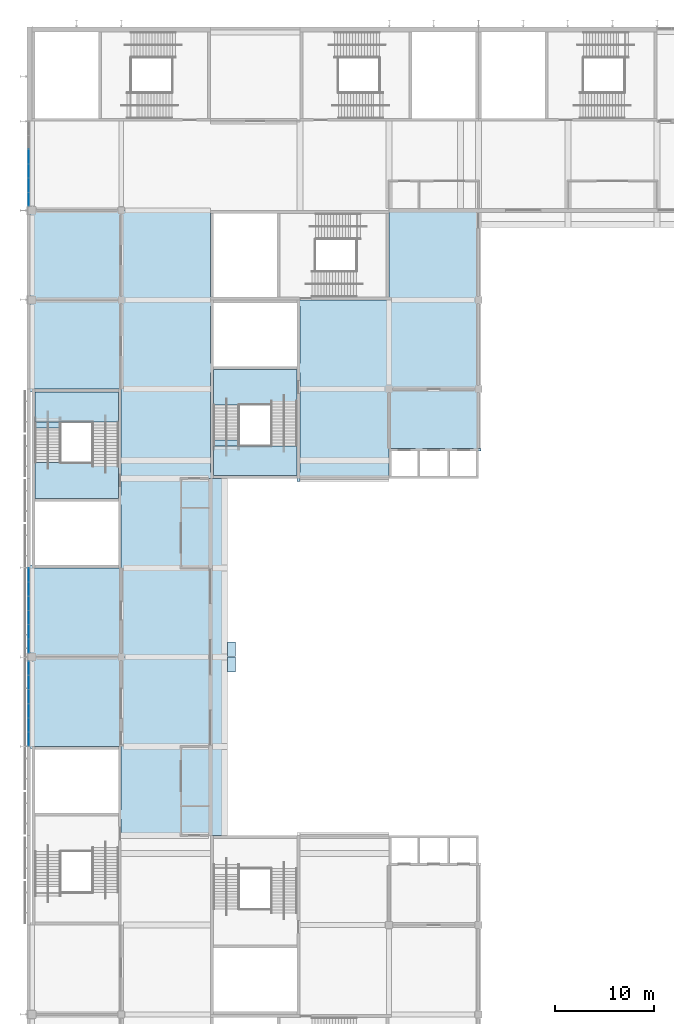
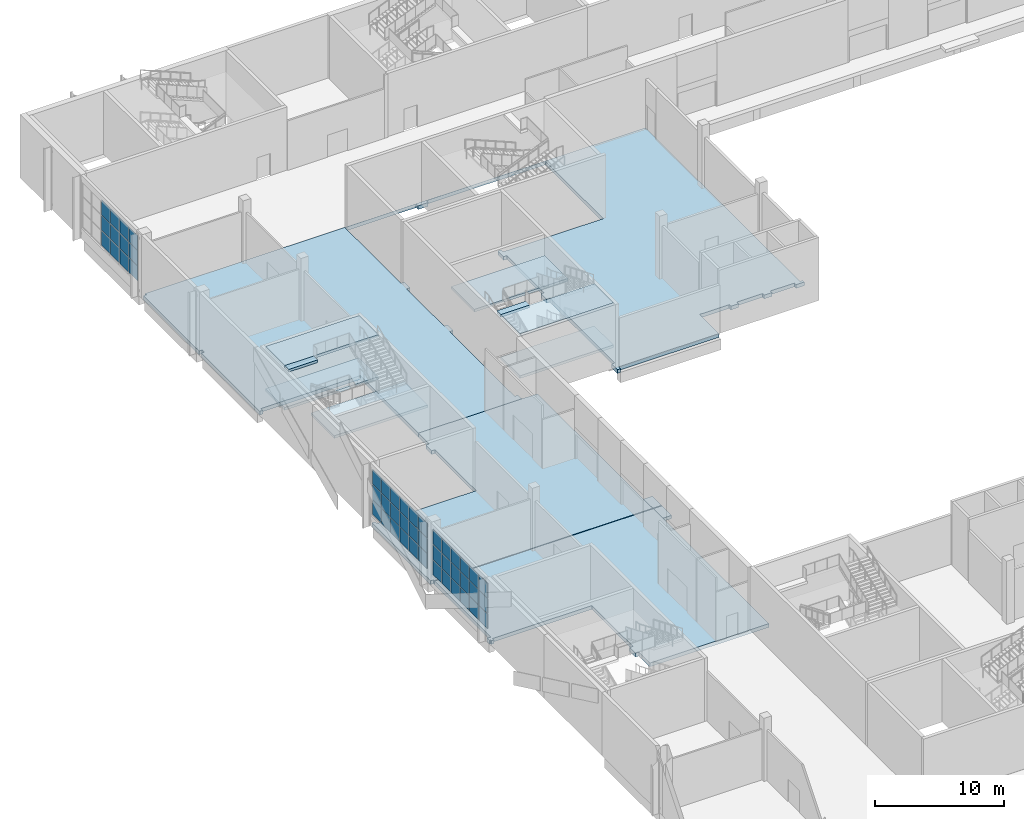
# One storey, part 32 of 89: 48 plates, 13 slabs, 5 elements without a shape of their own.
"""IFC4 building model written with IfcOpenShell, lengths in metres."""

from ifc_helpers import new_model, si_unit, direction, frame, origin, origin_2d, place, context, subcontext, project, spatial, polyline, rectangle, outline, extrude, material, layer, layer_set, type_object, element, aggregate, save


model = new_model("IFC4")

# Units and contexts
model_context = context("Model", 3, precision=1e-05, world=origin(), true_north=direction((0.0, 1.0)))
body_context = subcontext(model_context, "Body", "Model", "MODEL_VIEW")
ifc_project = project(units=[si_unit("LENGTHUNIT", "METRE"), si_unit("AREAUNIT", "SQUARE_METRE"), si_unit("VOLUMEUNIT", "CUBIC_METRE"), si_unit("PLANEANGLEUNIT", "RADIAN"), si_unit("MASSUNIT", "GRAM", prefix="KILO")], contexts=[model_context])

# Site, building, storey
site_placement = place(None, origin())
site = spatial("IfcSite", under=ifc_project, at=site_placement, CompositionType="ELEMENT")
building_placement = place(site_placement, origin())
building = spatial("IfcBuilding", under=site, at=building_placement, Name="Silverbay Arena", CompositionType="ELEMENT")
storey_placement = place(building_placement, frame((0.0, 0.0, 22.0)))
storey = spatial("IfcBuildingStorey", under=building, at=storey_placement, Name="L03", CompositionType="ELEMENT", Elevation=22.0)

# Curtain wall, plates
ifc_material_1 = material(Name="Aluminium framed curtain wall", Category="aluminium")
curtain_wall_type = type_object("IfcCurtainWallType", Name="Curtain wall 8600 x 4400", PredefinedType="NOTDEFINED", material=ifc_material_1)
curtain_wall_1_placement = place(storey_placement, origin())
curtain_wall_1 = element("IfcCurtainWall", 1, at=curtain_wall_1_placement, inside=storey, type_object=curtain_wall_type, Name="West curtain wall L03 bay 7", PredefinedType="NOTDEFINED")
ifc_material_2 = material(Name="Laminated glass", Category="glass")
ifc_layer_1 = layer(ifc_material_2, 0.028076171875)
ifc_layer_set_1 = layer_set([ifc_layer_1], Name="Laminated glass")
plate_type = type_object("IfcPlateType", Name="Glass panel 28", PredefinedType="CURTAIN_PANEL", material=ifc_layer_set_1)
plate_1_placement = place(storey_placement, frame((53.669921875, 79.868408203125, 1.050048828125), z_axis=(0.0, 0.0, 1.0), x_axis=(0.0, -1.0, 0.0)))
plate_1 = element("IfcPlate", 2, at=plate_1_placement, type_object=plate_type, Name="CW12 panel 1.1", PredefinedType="CURTAIN_PANEL", context=body_context, shape_type="SweptSolid", body=[
    extrude(rectangle(XDim=1.34326171875, YDim=0.028076171875, at=origin_2d()), origin(), (0.0, 0.0, 1.0), 1.3916015625),
])
plate_2_placement = place(storey_placement, frame((53.669921875, 79.868408203125, 2.49169921875), z_axis=(0.0, 0.0, 1.0), x_axis=(0.0, -1.0, 0.0)))
plate_2 = element("IfcPlate", 3, at=plate_2_placement, type_object=plate_type, Name="CW12 panel 1.2", PredefinedType="CURTAIN_PANEL", context=body_context, shape_type="SweptSolid", body=[
    extrude(rectangle(XDim=1.34326171875, YDim=0.028076171875, at=origin_2d()), origin(), (0.0, 0.0, 1.0), 1.416748046875),
])
plate_3_placement = place(storey_placement, frame((53.669921875, 79.868408203125, 3.958251953125), z_axis=(0.0, 0.0, 1.0), x_axis=(0.0, -1.0, 0.0)))
plate_3 = element("IfcPlate", 4, at=plate_3_placement, type_object=plate_type, Name="CW12 panel 1.3", PredefinedType="CURTAIN_PANEL", context=body_context, shape_type="SweptSolid", body=[
    extrude(rectangle(XDim=1.34326171875, YDim=0.028076171875, at=origin_2d()), origin(), (0.0, 0.0, 1.0), 1.3916015625),
])
plate_4_placement = place(storey_placement, frame((53.669921875, 78.449951171875, 1.050048828125), z_axis=(0.0, 0.0, 1.0), x_axis=(0.0, -1.0, 0.0)))
plate_4 = element("IfcPlate", 5, at=plate_4_placement, type_object=plate_type, Name="CW12 panel 2.1", PredefinedType="CURTAIN_PANEL", context=body_context, shape_type="SweptSolid", body=[
    extrude(rectangle(XDim=1.373291015625, YDim=0.028076171875, at=origin_2d()), origin(), (0.0, 0.0, 1.0), 1.3916015625),
])
plate_5_placement = place(storey_placement, frame((53.669921875, 78.449951171875, 2.49169921875), z_axis=(0.0, 0.0, 1.0), x_axis=(0.0, -1.0, 0.0)))
plate_5 = element("IfcPlate", 6, at=plate_5_placement, type_object=plate_type, Name="CW12 panel 2.2", PredefinedType="CURTAIN_PANEL", context=body_context, shape_type="SweptSolid", body=[
    extrude(rectangle(XDim=1.373291015625, YDim=0.028076171875, at=origin_2d()), origin(), (0.0, 0.0, 1.0), 1.416748046875),
])
plate_6_placement = place(storey_placement, frame((53.669921875, 78.449951171875, 3.958251953125), z_axis=(0.0, 0.0, 1.0), x_axis=(0.0, -1.0, 0.0)))
plate_6 = element("IfcPlate", 7, at=plate_6_placement, type_object=plate_type, Name="CW12 panel 2.3", PredefinedType="CURTAIN_PANEL", context=body_context, shape_type="SweptSolid", body=[
    extrude(rectangle(XDim=1.373291015625, YDim=0.028076171875, at=origin_2d()), origin(), (0.0, 0.0, 1.0), 1.3916015625),
])
plate_7_placement = place(storey_placement, frame((53.669921875, 77.0166015625, 1.050048828125), z_axis=(0.0, 0.0, 1.0), x_axis=(0.0, -1.0, 0.0)))
plate_7 = element("IfcPlate", 8, at=plate_7_placement, type_object=plate_type, Name="CW12 panel 3.1", PredefinedType="CURTAIN_PANEL", context=body_context, shape_type="SweptSolid", body=[
    extrude(rectangle(XDim=1.373291015625, YDim=0.028076171875, at=origin_2d()), origin(), (0.0, 0.0, 1.0), 1.3916015625),
])
plate_8_placement = place(storey_placement, frame((53.669921875, 77.0166015625, 2.49169921875), z_axis=(0.0, 0.0, 1.0), x_axis=(0.0, -1.0, 0.0)))
plate_8 = element("IfcPlate", 9, at=plate_8_placement, type_object=plate_type, Name="CW12 panel 3.2", PredefinedType="CURTAIN_PANEL", context=body_context, shape_type="SweptSolid", body=[
    extrude(rectangle(XDim=1.373291015625, YDim=0.028076171875, at=origin_2d()), origin(), (0.0, 0.0, 1.0), 1.416748046875),
])
plate_9_placement = place(storey_placement, frame((53.669921875, 77.0166015625, 3.958251953125), z_axis=(0.0, 0.0, 1.0), x_axis=(0.0, -1.0, 0.0)))
plate_9 = element("IfcPlate", 10, at=plate_9_placement, type_object=plate_type, Name="CW12 panel 3.3", PredefinedType="CURTAIN_PANEL", context=body_context, shape_type="SweptSolid", body=[
    extrude(rectangle(XDim=1.373291015625, YDim=0.028076171875, at=origin_2d()), origin(), (0.0, 0.0, 1.0), 1.3916015625),
])
plate_10_placement = place(storey_placement, frame((53.669921875, 75.583251953125, 1.050048828125), z_axis=(0.0, 0.0, 1.0), x_axis=(0.0, -1.0, 0.0)))
plate_10 = element("IfcPlate", 11, at=plate_10_placement, type_object=plate_type, Name="CW12 panel 4.1", PredefinedType="CURTAIN_PANEL", context=body_context, shape_type="SweptSolid", body=[
    extrude(rectangle(XDim=1.373291015625, YDim=0.028076171875, at=origin_2d()), origin(), (0.0, 0.0, 1.0), 1.3916015625),
])
plate_11_placement = place(storey_placement, frame((53.669921875, 75.583251953125, 2.49169921875), z_axis=(0.0, 0.0, 1.0), x_axis=(0.0, -1.0, 0.0)))
plate_11 = element("IfcPlate", 12, at=plate_11_placement, type_object=plate_type, Name="CW12 panel 4.2", PredefinedType="CURTAIN_PANEL", context=body_context, shape_type="SweptSolid", body=[
    extrude(rectangle(XDim=1.373291015625, YDim=0.028076171875, at=origin_2d()), origin(), (0.0, 0.0, 1.0), 1.416748046875),
])
plate_12_placement = place(storey_placement, frame((53.669921875, 75.583251953125, 3.958251953125), z_axis=(0.0, 0.0, 1.0), x_axis=(0.0, -1.0, 0.0)))
plate_12 = element("IfcPlate", 13, at=plate_12_placement, type_object=plate_type, Name="CW12 panel 4.3", PredefinedType="CURTAIN_PANEL", context=body_context, shape_type="SweptSolid", body=[
    extrude(rectangle(XDim=1.373291015625, YDim=0.028076171875, at=origin_2d()), origin(), (0.0, 0.0, 1.0), 1.3916015625),
])
plate_13_placement = place(storey_placement, frame((53.669921875, 74.14990234375, 1.050048828125), z_axis=(0.0, 0.0, 1.0), x_axis=(0.0, -1.0, 0.0)))
plate_13 = element("IfcPlate", 14, at=plate_13_placement, type_object=plate_type, Name="CW12 panel 5.1", PredefinedType="CURTAIN_PANEL", context=body_context, shape_type="SweptSolid", body=[
    extrude(rectangle(XDim=1.373291015625, YDim=0.028076171875, at=origin_2d()), origin(), (0.0, 0.0, 1.0), 1.3916015625),
])
plate_14_placement = place(storey_placement, frame((53.669921875, 74.14990234375, 2.49169921875), z_axis=(0.0, 0.0, 1.0), x_axis=(0.0, -1.0, 0.0)))
plate_14 = element("IfcPlate", 15, at=plate_14_placement, type_object=plate_type, Name="CW12 panel 5.2", PredefinedType="CURTAIN_PANEL", context=body_context, shape_type="SweptSolid", body=[
    extrude(rectangle(XDim=1.373291015625, YDim=0.028076171875, at=origin_2d()), origin(), (0.0, 0.0, 1.0), 1.416748046875),
])
plate_15_placement = place(storey_placement, frame((53.669921875, 74.14990234375, 3.958251953125), z_axis=(0.0, 0.0, 1.0), x_axis=(0.0, -1.0, 0.0)))
plate_15 = element("IfcPlate", 16, at=plate_15_placement, type_object=plate_type, Name="CW12 panel 5.3", PredefinedType="CURTAIN_PANEL", context=body_context, shape_type="SweptSolid", body=[
    extrude(rectangle(XDim=1.373291015625, YDim=0.028076171875, at=origin_2d()), origin(), (0.0, 0.0, 1.0), 1.3916015625),
])
plate_16_placement = place(storey_placement, frame((53.669921875, 72.731689453125, 1.050048828125), z_axis=(0.0, 0.0, 1.0), x_axis=(0.0, -1.0, 0.0)))
plate_16 = element("IfcPlate", 17, at=plate_16_placement, type_object=plate_type, Name="CW12 panel 6.1", PredefinedType="CURTAIN_PANEL", context=body_context, shape_type="SweptSolid", body=[
    extrude(rectangle(XDim=1.34326171875, YDim=0.028076171875, at=origin_2d()), origin(), (0.0, 0.0, 1.0), 1.3916015625),
])
plate_17_placement = place(storey_placement, frame((53.669921875, 72.731689453125, 2.49169921875), z_axis=(0.0, 0.0, 1.0), x_axis=(0.0, -1.0, 0.0)))
plate_17 = element("IfcPlate", 18, at=plate_17_placement, type_object=plate_type, Name="CW12 panel 6.2", PredefinedType="CURTAIN_PANEL", context=body_context, shape_type="SweptSolid", body=[
    extrude(rectangle(XDim=1.34326171875, YDim=0.028076171875, at=origin_2d()), origin(), (0.0, 0.0, 1.0), 1.416748046875),
])
plate_18_placement = place(storey_placement, frame((53.669921875, 72.731689453125, 3.958251953125), z_axis=(0.0, 0.0, 1.0), x_axis=(0.0, -1.0, 0.0)))
plate_18 = element("IfcPlate", 19, at=plate_18_placement, type_object=plate_type, Name="CW12 panel 6.3", PredefinedType="CURTAIN_PANEL", context=body_context, shape_type="SweptSolid", body=[
    extrude(rectangle(XDim=1.34326171875, YDim=0.028076171875, at=origin_2d()), origin(), (0.0, 0.0, 1.0), 1.3916015625),
])
aggregate(curtain_wall_1, [plate_1, plate_2, plate_3, plate_4, plate_5, plate_6, plate_7, plate_8, plate_9, plate_10, plate_11, plate_12, plate_13, plate_14, plate_15, plate_16, plate_17, plate_18])

curtain_wall_2_placement = place(storey_placement, origin())
curtain_wall_2 = element("IfcCurtainWall", 20, at=curtain_wall_2_placement, inside=storey, type_object=curtain_wall_type, Name="West curtain wall L03 bay 8", PredefinedType="NOTDEFINED")
plate_19_placement = place(storey_placement, frame((53.669921875, 89.268310546875, 1.050048828125), z_axis=(0.0, 0.0, 1.0), x_axis=(0.0, -1.0, 0.0)))
plate_19 = element("IfcPlate", 21, at=plate_19_placement, type_object=plate_type, Name="CW12 panel 1.1", PredefinedType="CURTAIN_PANEL", context=body_context, shape_type="SweptSolid", body=[
    extrude(rectangle(XDim=1.34326171875, YDim=0.028076171875, at=origin_2d()), origin(), (0.0, 0.0, 1.0), 1.3916015625),
])
plate_20_placement = place(storey_placement, frame((53.669921875, 89.268310546875, 2.49169921875), z_axis=(0.0, 0.0, 1.0), x_axis=(0.0, -1.0, 0.0)))
plate_20 = element("IfcPlate", 22, at=plate_20_placement, type_object=plate_type, Name="CW12 panel 1.2", PredefinedType="CURTAIN_PANEL", context=body_context, shape_type="SweptSolid", body=[
    extrude(rectangle(XDim=1.34326171875, YDim=0.028076171875, at=origin_2d()), origin(), (0.0, 0.0, 1.0), 1.416748046875),
])
plate_21_placement = place(storey_placement, frame((53.669921875, 89.268310546875, 3.958251953125), z_axis=(0.0, 0.0, 1.0), x_axis=(0.0, -1.0, 0.0)))
plate_21 = element("IfcPlate", 23, at=plate_21_placement, type_object=plate_type, Name="CW12 panel 1.3", PredefinedType="CURTAIN_PANEL", context=body_context, shape_type="SweptSolid", body=[
    extrude(rectangle(XDim=1.34326171875, YDim=0.028076171875, at=origin_2d()), origin(), (0.0, 0.0, 1.0), 1.3916015625),
])
plate_22_placement = place(storey_placement, frame((53.669921875, 87.85009765625, 1.050048828125), z_axis=(0.0, 0.0, 1.0), x_axis=(0.0, -1.0, 0.0)))
plate_22 = element("IfcPlate", 24, at=plate_22_placement, type_object=plate_type, Name="CW12 panel 2.1", PredefinedType="CURTAIN_PANEL", context=body_context, shape_type="SweptSolid", body=[
    extrude(rectangle(XDim=1.373291015625, YDim=0.028076171875, at=origin_2d()), origin(), (0.0, 0.0, 1.0), 1.3916015625),
])
plate_23_placement = place(storey_placement, frame((53.669921875, 87.85009765625, 2.49169921875), z_axis=(0.0, 0.0, 1.0), x_axis=(0.0, -1.0, 0.0)))
plate_23 = element("IfcPlate", 25, at=plate_23_placement, type_object=plate_type, Name="CW12 panel 2.2", PredefinedType="CURTAIN_PANEL", context=body_context, shape_type="SweptSolid", body=[
    extrude(rectangle(XDim=1.373291015625, YDim=0.028076171875, at=origin_2d()), origin(), (0.0, 0.0, 1.0), 1.416748046875),
])
plate_24_placement = place(storey_placement, frame((53.669921875, 87.85009765625, 3.958251953125), z_axis=(0.0, 0.0, 1.0), x_axis=(0.0, -1.0, 0.0)))
plate_24 = element("IfcPlate", 26, at=plate_24_placement, type_object=plate_type, Name="CW12 panel 2.3", PredefinedType="CURTAIN_PANEL", context=body_context, shape_type="SweptSolid", body=[
    extrude(rectangle(XDim=1.373291015625, YDim=0.028076171875, at=origin_2d()), origin(), (0.0, 0.0, 1.0), 1.3916015625),
])
plate_25_placement = place(storey_placement, frame((53.669921875, 86.416748046875, 1.050048828125), z_axis=(0.0, 0.0, 1.0), x_axis=(0.0, -1.0, 0.0)))
plate_25 = element("IfcPlate", 27, at=plate_25_placement, type_object=plate_type, Name="CW12 panel 3.1", PredefinedType="CURTAIN_PANEL", context=body_context, shape_type="SweptSolid", body=[
    extrude(rectangle(XDim=1.373291015625, YDim=0.028076171875, at=origin_2d()), origin(), (0.0, 0.0, 1.0), 1.3916015625),
])
plate_26_placement = place(storey_placement, frame((53.669921875, 86.416748046875, 2.49169921875), z_axis=(0.0, 0.0, 1.0), x_axis=(0.0, -1.0, 0.0)))
plate_26 = element("IfcPlate", 28, at=plate_26_placement, type_object=plate_type, Name="CW12 panel 3.2", PredefinedType="CURTAIN_PANEL", context=body_context, shape_type="SweptSolid", body=[
    extrude(rectangle(XDim=1.373291015625, YDim=0.028076171875, at=origin_2d()), origin(), (0.0, 0.0, 1.0), 1.416748046875),
])
plate_27_placement = place(storey_placement, frame((53.669921875, 86.416748046875, 3.958251953125), z_axis=(0.0, 0.0, 1.0), x_axis=(0.0, -1.0, 0.0)))
plate_27 = element("IfcPlate", 29, at=plate_27_placement, type_object=plate_type, Name="CW12 panel 3.3", PredefinedType="CURTAIN_PANEL", context=body_context, shape_type="SweptSolid", body=[
    extrude(rectangle(XDim=1.373291015625, YDim=0.028076171875, at=origin_2d()), origin(), (0.0, 0.0, 1.0), 1.3916015625),
])
plate_28_placement = place(storey_placement, frame((53.669921875, 84.9833984375, 1.050048828125), z_axis=(0.0, 0.0, 1.0), x_axis=(0.0, -1.0, 0.0)))
plate_28 = element("IfcPlate", 30, at=plate_28_placement, type_object=plate_type, Name="CW12 panel 4.1", PredefinedType="CURTAIN_PANEL", context=body_context, shape_type="SweptSolid", body=[
    extrude(rectangle(XDim=1.373291015625, YDim=0.028076171875, at=origin_2d()), origin(), (0.0, 0.0, 1.0), 1.3916015625),
])
plate_29_placement = place(storey_placement, frame((53.669921875, 84.9833984375, 2.49169921875), z_axis=(0.0, 0.0, 1.0), x_axis=(0.0, -1.0, 0.0)))
plate_29 = element("IfcPlate", 31, at=plate_29_placement, type_object=plate_type, Name="CW12 panel 4.2", PredefinedType="CURTAIN_PANEL", context=body_context, shape_type="SweptSolid", body=[
    extrude(rectangle(XDim=1.373291015625, YDim=0.028076171875, at=origin_2d()), origin(), (0.0, 0.0, 1.0), 1.416748046875),
])
plate_30_placement = place(storey_placement, frame((53.669921875, 84.9833984375, 3.958251953125), z_axis=(0.0, 0.0, 1.0), x_axis=(0.0, -1.0, 0.0)))
plate_30 = element("IfcPlate", 32, at=plate_30_placement, type_object=plate_type, Name="CW12 panel 4.3", PredefinedType="CURTAIN_PANEL", context=body_context, shape_type="SweptSolid", body=[
    extrude(rectangle(XDim=1.373291015625, YDim=0.028076171875, at=origin_2d()), origin(), (0.0, 0.0, 1.0), 1.3916015625),
])
plate_31_placement = place(storey_placement, frame((53.669921875, 83.550048828125, 1.050048828125), z_axis=(0.0, 0.0, 1.0), x_axis=(0.0, -1.0, 0.0)))
plate_31 = element("IfcPlate", 33, at=plate_31_placement, type_object=plate_type, Name="CW12 panel 5.1", PredefinedType="CURTAIN_PANEL", context=body_context, shape_type="SweptSolid", body=[
    extrude(rectangle(XDim=1.373291015625, YDim=0.028076171875, at=origin_2d()), origin(), (0.0, 0.0, 1.0), 1.3916015625),
])
plate_32_placement = place(storey_placement, frame((53.669921875, 83.550048828125, 2.49169921875), z_axis=(0.0, 0.0, 1.0), x_axis=(0.0, -1.0, 0.0)))
plate_32 = element("IfcPlate", 34, at=plate_32_placement, type_object=plate_type, Name="CW12 panel 5.2", PredefinedType="CURTAIN_PANEL", context=body_context, shape_type="SweptSolid", body=[
    extrude(rectangle(XDim=1.373291015625, YDim=0.028076171875, at=origin_2d()), origin(), (0.0, 0.0, 1.0), 1.416748046875),
])
plate_33_placement = place(storey_placement, frame((53.669921875, 83.550048828125, 3.958251953125), z_axis=(0.0, 0.0, 1.0), x_axis=(0.0, -1.0, 0.0)))
plate_33 = element("IfcPlate", 35, at=plate_33_placement, type_object=plate_type, Name="CW12 panel 5.3", PredefinedType="CURTAIN_PANEL", context=body_context, shape_type="SweptSolid", body=[
    extrude(rectangle(XDim=1.373291015625, YDim=0.028076171875, at=origin_2d()), origin(), (0.0, 0.0, 1.0), 1.3916015625),
])
plate_34_placement = place(storey_placement, frame((53.669921875, 82.131591796875, 1.050048828125), z_axis=(0.0, 0.0, 1.0), x_axis=(0.0, -1.0, 0.0)))
plate_34 = element("IfcPlate", 36, at=plate_34_placement, type_object=plate_type, Name="CW12 panel 6.1", PredefinedType="CURTAIN_PANEL", context=body_context, shape_type="SweptSolid", body=[
    extrude(rectangle(XDim=1.34326171875, YDim=0.028076171875, at=origin_2d()), origin(), (0.0, 0.0, 1.0), 1.3916015625),
])
plate_35_placement = place(storey_placement, frame((53.669921875, 82.131591796875, 2.49169921875), z_axis=(0.0, 0.0, 1.0), x_axis=(0.0, -1.0, 0.0)))
plate_35 = element("IfcPlate", 37, at=plate_35_placement, type_object=plate_type, Name="CW12 panel 6.2", PredefinedType="CURTAIN_PANEL", context=body_context, shape_type="SweptSolid", body=[
    extrude(rectangle(XDim=1.34326171875, YDim=0.028076171875, at=origin_2d()), origin(), (0.0, 0.0, 1.0), 1.416748046875),
])
plate_36_placement = place(storey_placement, frame((53.669921875, 82.131591796875, 3.958251953125), z_axis=(0.0, 0.0, 1.0), x_axis=(0.0, -1.0, 0.0)))
plate_36 = element("IfcPlate", 38, at=plate_36_placement, type_object=plate_type, Name="CW12 panel 6.3", PredefinedType="CURTAIN_PANEL", context=body_context, shape_type="SweptSolid", body=[
    extrude(rectangle(XDim=1.34326171875, YDim=0.028076171875, at=origin_2d()), origin(), (0.0, 0.0, 1.0), 1.3916015625),
])
aggregate(curtain_wall_2, [plate_19, plate_20, plate_21, plate_22, plate_23, plate_24, plate_25, plate_26, plate_27, plate_28, plate_29, plate_30, plate_31, plate_32, plate_33, plate_34, plate_35, plate_36])

curtain_wall_3_placement = place(storey_placement, origin())
curtain_wall_3 = element("IfcCurtainWall", 39, at=curtain_wall_3_placement, inside=storey, type_object=curtain_wall_type, Name="West curtain wall L03 bay 13", PredefinedType="NOTDEFINED")
plate_37_placement = place(storey_placement, frame((53.669921875, 131.416748046875, 1.050048828125), z_axis=(0.0, 0.0, 1.0), x_axis=(0.0, -1.0, 0.0)))
plate_37 = element("IfcPlate", 40, at=plate_37_placement, type_object=plate_type, Name="CW12 panel 3.1", PredefinedType="CURTAIN_PANEL", context=body_context, shape_type="SweptSolid", body=[
    extrude(rectangle(XDim=1.373291015625, YDim=0.028076171875, at=origin_2d()), origin(), (0.0, 0.0, 1.0), 1.3916015625),
])
plate_38_placement = place(storey_placement, frame((53.669921875, 131.416748046875, 2.49169921875), z_axis=(0.0, 0.0, 1.0), x_axis=(0.0, -1.0, 0.0)))
plate_38 = element("IfcPlate", 41, at=plate_38_placement, type_object=plate_type, Name="CW12 panel 3.2", PredefinedType="CURTAIN_PANEL", context=body_context, shape_type="SweptSolid", body=[
    extrude(rectangle(XDim=1.373291015625, YDim=0.028076171875, at=origin_2d()), origin(), (0.0, 0.0, 1.0), 1.416748046875),
])
plate_39_placement = place(storey_placement, frame((53.669921875, 131.416748046875, 3.958251953125), z_axis=(0.0, 0.0, 1.0), x_axis=(0.0, -1.0, 0.0)))
plate_39 = element("IfcPlate", 42, at=plate_39_placement, type_object=plate_type, Name="CW12 panel 3.3", PredefinedType="CURTAIN_PANEL", context=body_context, shape_type="SweptSolid", body=[
    extrude(rectangle(XDim=1.373291015625, YDim=0.028076171875, at=origin_2d()), origin(), (0.0, 0.0, 1.0), 1.3916015625),
])
plate_40_placement = place(storey_placement, frame((53.669921875, 129.9833984375, 1.050048828125), z_axis=(0.0, 0.0, 1.0), x_axis=(0.0, -1.0, 0.0)))
plate_40 = element("IfcPlate", 43, at=plate_40_placement, type_object=plate_type, Name="CW12 panel 4.1", PredefinedType="CURTAIN_PANEL", context=body_context, shape_type="SweptSolid", body=[
    extrude(rectangle(XDim=1.373291015625, YDim=0.028076171875, at=origin_2d()), origin(), (0.0, 0.0, 1.0), 1.3916015625),
])
plate_41_placement = place(storey_placement, frame((53.669921875, 129.9833984375, 2.49169921875), z_axis=(0.0, 0.0, 1.0), x_axis=(0.0, -1.0, 0.0)))
plate_41 = element("IfcPlate", 44, at=plate_41_placement, type_object=plate_type, Name="CW12 panel 4.2", PredefinedType="CURTAIN_PANEL", context=body_context, shape_type="SweptSolid", body=[
    extrude(rectangle(XDim=1.373291015625, YDim=0.028076171875, at=origin_2d()), origin(), (0.0, 0.0, 1.0), 1.416748046875),
])
plate_42_placement = place(storey_placement, frame((53.669921875, 129.9833984375, 3.958251953125), z_axis=(0.0, 0.0, 1.0), x_axis=(0.0, -1.0, 0.0)))
plate_42 = element("IfcPlate", 45, at=plate_42_placement, type_object=plate_type, Name="CW12 panel 4.3", PredefinedType="CURTAIN_PANEL", context=body_context, shape_type="SweptSolid", body=[
    extrude(rectangle(XDim=1.373291015625, YDim=0.028076171875, at=origin_2d()), origin(), (0.0, 0.0, 1.0), 1.3916015625),
])
plate_43_placement = place(storey_placement, frame((53.669921875, 128.550048828125, 1.050048828125), z_axis=(0.0, 0.0, 1.0), x_axis=(0.0, -1.0, 0.0)))
plate_43 = element("IfcPlate", 46, at=plate_43_placement, type_object=plate_type, Name="CW12 panel 5.1", PredefinedType="CURTAIN_PANEL", context=body_context, shape_type="SweptSolid", body=[
    extrude(rectangle(XDim=1.373291015625, YDim=0.028076171875, at=origin_2d()), origin(), (0.0, 0.0, 1.0), 1.3916015625),
])
plate_44_placement = place(storey_placement, frame((53.669921875, 128.550048828125, 2.49169921875), z_axis=(0.0, 0.0, 1.0), x_axis=(0.0, -1.0, 0.0)))
plate_44 = element("IfcPlate", 47, at=plate_44_placement, type_object=plate_type, Name="CW12 panel 5.2", PredefinedType="CURTAIN_PANEL", context=body_context, shape_type="SweptSolid", body=[
    extrude(rectangle(XDim=1.373291015625, YDim=0.028076171875, at=origin_2d()), origin(), (0.0, 0.0, 1.0), 1.416748046875),
])
plate_45_placement = place(storey_placement, frame((53.669921875, 128.550048828125, 3.958251953125), z_axis=(0.0, 0.0, 1.0), x_axis=(0.0, -1.0, 0.0)))
plate_45 = element("IfcPlate", 48, at=plate_45_placement, type_object=plate_type, Name="CW12 panel 5.3", PredefinedType="CURTAIN_PANEL", context=body_context, shape_type="SweptSolid", body=[
    extrude(rectangle(XDim=1.373291015625, YDim=0.028076171875, at=origin_2d()), origin(), (0.0, 0.0, 1.0), 1.3916015625),
])
plate_46_placement = place(storey_placement, frame((53.669921875, 127.131591796875, 1.050048828125), z_axis=(0.0, 0.0, 1.0), x_axis=(0.0, -1.0, 0.0)))
plate_46 = element("IfcPlate", 49, at=plate_46_placement, type_object=plate_type, Name="CW12 panel 6.1", PredefinedType="CURTAIN_PANEL", context=body_context, shape_type="SweptSolid", body=[
    extrude(rectangle(XDim=1.34326171875, YDim=0.028076171875, at=origin_2d()), origin(), (0.0, 0.0, 1.0), 1.3916015625),
])
plate_47_placement = place(storey_placement, frame((53.669921875, 127.131591796875, 2.49169921875), z_axis=(0.0, 0.0, 1.0), x_axis=(0.0, -1.0, 0.0)))
plate_47 = element("IfcPlate", 50, at=plate_47_placement, type_object=plate_type, Name="CW12 panel 6.2", PredefinedType="CURTAIN_PANEL", context=body_context, shape_type="SweptSolid", body=[
    extrude(rectangle(XDim=1.34326171875, YDim=0.028076171875, at=origin_2d()), origin(), (0.0, 0.0, 1.0), 1.416748046875),
])
plate_48_placement = place(storey_placement, frame((53.669921875, 127.131591796875, 3.958251953125), z_axis=(0.0, 0.0, 1.0), x_axis=(0.0, -1.0, 0.0)))
plate_48 = element("IfcPlate", 51, at=plate_48_placement, type_object=plate_type, Name="CW12 panel 6.3", PredefinedType="CURTAIN_PANEL", context=body_context, shape_type="SweptSolid", body=[
    extrude(rectangle(XDim=1.34326171875, YDim=0.028076171875, at=origin_2d()), origin(), (0.0, 0.0, 1.0), 1.3916015625),
])
aggregate(curtain_wall_3, [plate_37, plate_38, plate_39, plate_40, plate_41, plate_42, plate_43, plate_44, plate_45, plate_46, plate_47, plate_48])

# Slabs
ifc_material_3 = material(Name="Concrete Grade C45", Category="concrete")
ifc_layer_2 = layer(ifc_material_3, 0.35009765625)
ifc_layer_set_2 = layer_set([ifc_layer_2], Name="Concrete Grade C45")
slab_type_1 = type_object("IfcSlabType", Name="RC floor slab 350", PredefinedType="FLOOR", material=ifc_layer_set_2)
slab_1_placement = place(storey_placement, frame((0.0, 0.0, -0.35009765625)))
element("IfcSlab", 52, at=slab_1_placement, inside=storey, type_object=slab_type_1, Name="Floor slab L03 unit 7", PredefinedType="FLOOR", context=body_context, shape_type="SweptSolid", body=[
    extrude(outline(polyline([(54.074951171875, 81.175048828125), (53.800048828125, 81.175048828125), (53.800048828125, 90.27490234375), (54.074951171875, 90.27490234375), (54.074951171875, 90.0), (63.0, 90.0), (63.0, 96.39990234375), (62.699951171875, 96.39990234375), (62.699951171875, 97.300048828125), (63.0, 97.300048828125), (63.0, 99.0), (73.699951171875, 99.0), (73.699951171875, 81.050048828125), (54.074951171875, 81.050048828125), (54.074951171875, 81.175048828125)])), origin(), (0.0, 0.0, 1.0), 0.35009765625),
])
slab_2_placement = place(storey_placement, frame((0.0, 0.0, -0.35009765625)))
element("IfcSlab", 53, at=slab_2_placement, inside=storey, type_object=slab_type_1, Name="Floor slab L03 unit 7 B", PredefinedType="FLOOR", context=body_context, shape_type="SweptSolid", body=[
    extrude(outline(polyline([(53.75, 72.324951171875), (53.85009765625, 72.324951171875), (53.85009765625, 72.22509765625), (54.074951171875, 72.22509765625), (54.074951171875, 81.0), (73.699951171875, 81.0), (73.699951171875, 63.0), (63.0, 63.0), (63.0, 64.699951171875), (62.699951171875, 64.699951171875), (62.699951171875, 65.60009765625), (63.0, 65.60009765625), (63.0, 72.0), (54.074951171875, 72.0), (54.074951171875, 71.77490234375), (53.85009765625, 71.77490234375), (53.85009765625, 71.89990234375), (53.75, 71.89990234375), (53.75, 72.324951171875)])), origin(), (0.0, 0.0, 1.0), 0.35009765625),
])
slab_3_placement = place(storey_placement, frame((0.0, 0.0, -0.35009765625)))
element("IfcSlab", 54, at=slab_3_placement, inside=storey, type_object=slab_type_1, Name="Floor slab L03 unit 9", PredefinedType="FLOOR", context=body_context, shape_type="SweptSolid", body=[
    extrude(outline(polyline([(72.300048828125, 99.0), (63.0, 99.0), (63.0, 108.0), (54.074951171875, 108.0), (54.074951171875, 107.72509765625), (53.800048828125, 107.72509765625), (53.800048828125, 116.824951171875), (54.074951171875, 116.824951171875), (54.074951171875, 117.175048828125), (53.800048828125, 117.175048828125), (53.800048828125, 125.824951171875), (54.074951171875, 125.824951171875), (54.074951171875, 126.02490234375), (99.0, 126.02490234375), (99.0, 102.0), (99.25, 102.0), (99.25, 101.75), (98.5, 101.75), (98.5, 102.0), (96.35009765625, 102.0), (96.35009765625, 101.75), (95.64990234375, 101.75), (95.64990234375, 102.0), (93.35009765625, 102.0), (93.35009765625, 101.75), (92.64990234375, 101.75), (92.64990234375, 102.0), (90.0, 102.0), (90.0, 99.0), (81.0, 99.0), (81.0, 98.699951171875), (80.699951171875, 98.699951171875), (80.699951171875, 99.60009765625), (81.0, 99.60009765625), (81.0, 109.699951171875), (80.699951171875, 109.699951171875), (80.699951171875, 110.60009765625), (81.0, 110.60009765625), (81.0, 116.39990234375), (80.699951171875, 116.39990234375), (80.699951171875, 117.300048828125), (81.0, 117.300048828125), (81.0, 117.0), (90.0, 117.0), (90.0, 126.0), (79.300048828125, 126.0), (79.300048828125, 125.699951171875), (78.39990234375, 125.699951171875), (78.39990234375, 126.0), (72.0, 126.0), (72.0, 117.300048828125), (72.300048828125, 117.300048828125), (72.300048828125, 116.39990234375), (72.0, 116.39990234375), (72.0, 110.60009765625), (72.300048828125, 110.60009765625), (72.300048828125, 109.699951171875), (72.0, 109.699951171875), (72.0, 99.60009765625), (72.300048828125, 99.60009765625), (72.300048828125, 99.0)])), origin(), (0.0, 0.0, 1.0), 0.35009765625),
])

# Stair, slab
ifc_material_4 = material(Name="Concrete Grade C45", Category="concrete")
stair_type = type_object("IfcStairType", Name="Stair 2600 wide 48 risers 125.0 x 300", PredefinedType="HALF_TURN_STAIR", material=ifc_material_4)
stair_1_placement = place(storey_placement, origin())
stair_1 = element("IfcStair", 55, at=stair_1_placement, inside=storey, type_object=stair_type, Name="Stair ST-W2 L03 to L04", PredefinedType="HALF_TURN_STAIR")
ifc_material_5 = material(Name="Concrete Grade C45", Category="concrete")
ifc_layer_3 = layer(ifc_material_5, 0.25)
ifc_layer_set_3 = layer_set([ifc_layer_3], Name="Concrete Grade C45")
slab_type_2 = type_object("IfcSlabType", Name="Stair arrival platform RC 250", PredefinedType="FLOOR", material=ifc_layer_set_3)
slab_4_placement = place(storey_placement, frame((0.0, 0.0, 5.75)))
slab_4 = element("IfcSlab", 56, at=slab_4_placement, type_object=slab_type_2, Name="Stair ST-W2 L03 to L04 arrival platform 4", PredefinedType="FLOOR", context=body_context, shape_type="SweptSolid", body=[
    extrude(outline(polyline([(56.89990234375, 104.10009765625), (56.89990234375, 104.7099609375), (54.300048828125, 104.7099609375), (54.300048828125, 104.10009765625), (56.89990234375, 104.10009765625)])), origin(), (0.0, 0.0, 1.0), 0.25),
])

stair_2_placement = place(storey_placement, origin())
stair_2 = element("IfcStair", 57, at=stair_2_placement, inside=storey, type_object=stair_type, Name="Stair ST-NW2 L03 to L04", PredefinedType="HALF_TURN_STAIR")
slab_5_placement = place(storey_placement, frame((0.0, 0.0, 5.75)))
slab_5 = element("IfcSlab", 58, at=slab_5_placement, type_object=slab_type_2, Name="Stair ST-NW2 L03 to L04 arrival platform 4", PredefinedType="FLOOR", context=body_context, shape_type="SweptSolid", body=[
    extrude(outline(polyline([(74.89990234375, 102.89990234375), (74.89990234375, 102.2900390625), (72.300048828125, 102.2900390625), (72.300048828125, 102.89990234375), (74.89990234375, 102.89990234375)])), origin(), (0.0, 0.0, 1.0), 0.25),
])

# Slab
ifc_material_6 = material(Name="Concrete Grade C45", Category="concrete")
ifc_layer_4 = layer(ifc_material_6, 0.25)
ifc_layer_set_4 = layer_set([ifc_layer_4], Name="Concrete Grade C45")
slab_type_3 = type_object("IfcSlabType", Name="Stair landing RC 250", PredefinedType="LANDING", material=ifc_layer_set_4)
slab_6_placement = place(storey_placement, frame((0.0, 0.0, 1.75)))
slab_6 = element("IfcSlab", 59, at=slab_6_placement, type_object=slab_type_3, Name="Stair ST-W2 L03 to L04 landing 1", PredefinedType="LANDING", context=body_context, shape_type="SweptSolid", body=[
    extrude(outline(polyline([(62.699951171875, 104.7099609375), (62.699951171875, 107.699951171875), (54.300048828125, 107.699951171875), (54.300048828125, 104.7099609375), (62.699951171875, 104.7099609375)])), origin(), (0.0, 0.0, 1.0), 0.25),
])

slab_7_placement = place(storey_placement, frame((0.0, 0.0, 3.75)))
slab_7 = element("IfcSlab", 60, at=slab_7_placement, type_object=slab_type_3, Name="Stair ST-W2 L03 to L04 landing 2", PredefinedType="LANDING", context=body_context, shape_type="SweptSolid", body=[
    extrude(outline(polyline([(62.699951171875, 97.0), (62.699951171875, 100.60009765625), (54.300048828125, 100.60009765625), (54.300048828125, 97.0), (62.699951171875, 97.0)])), origin(), (0.0, 0.0, 1.0), 0.25),
])

slab_8_placement = place(storey_placement, frame((0.0, 0.0, 5.75)))
slab_8 = element("IfcSlab", 61, at=slab_8_placement, type_object=slab_type_3, Name="Stair ST-W2 L03 to L04 landing 3", PredefinedType="LANDING", context=body_context, shape_type="SweptSolid", body=[
    extrude(outline(polyline([(62.699951171875, 104.7099609375), (62.699951171875, 107.699951171875), (54.300048828125, 107.699951171875), (54.300048828125, 104.7099609375), (62.699951171875, 104.7099609375)])), origin(), (0.0, 0.0, 1.0), 0.25),
])

aggregate(stair_1, [slab_6, slab_7, slab_8, slab_4])

slab_9_placement = place(storey_placement, frame((0.0, 0.0, 1.75)))
slab_9 = element("IfcSlab", 62, at=slab_9_placement, type_object=slab_type_3, Name="Stair ST-NW2 L03 to L04 landing 1", PredefinedType="LANDING", context=body_context, shape_type="SweptSolid", body=[
    extrude(outline(polyline([(80.699951171875, 102.2900390625), (80.699951171875, 99.300048828125), (72.300048828125, 99.300048828125), (72.300048828125, 102.2900390625), (80.699951171875, 102.2900390625)])), origin(), (0.0, 0.0, 1.0), 0.25),
])

slab_10_placement = place(storey_placement, frame((0.0, 0.0, 3.75)))
slab_10 = element("IfcSlab", 63, at=slab_10_placement, type_object=slab_type_3, Name="Stair ST-NW2 L03 to L04 landing 2", PredefinedType="LANDING", context=body_context, shape_type="SweptSolid", body=[
    extrude(outline(polyline([(80.699951171875, 110.0), (80.699951171875, 106.39990234375), (72.300048828125, 106.39990234375), (72.300048828125, 110.0), (80.699951171875, 110.0)])), origin(), (0.0, 0.0, 1.0), 0.25),
])

slab_11_placement = place(storey_placement, frame((0.0, 0.0, 5.75)))
slab_11 = element("IfcSlab", 64, at=slab_11_placement, type_object=slab_type_3, Name="Stair ST-NW2 L03 to L04 landing 3", PredefinedType="LANDING", context=body_context, shape_type="SweptSolid", body=[
    extrude(outline(polyline([(80.699951171875, 102.2900390625), (80.699951171875, 99.300048828125), (72.300048828125, 99.300048828125), (72.300048828125, 102.2900390625), (80.699951171875, 102.2900390625)])), origin(), (0.0, 0.0, 1.0), 0.25),
])

aggregate(stair_2, [slab_9, slab_10, slab_11, slab_5])

# Slabs
ifc_material_7 = material(Name="Concrete Grade C45", Category="concrete")
ifc_layer_5 = layer(ifc_material_7, 0.300048828125)
ifc_layer_set_5 = layer_set([ifc_layer_5], Name="Concrete Grade C45")
slab_type_4 = type_object("IfcSlabType", Name="Vomitory head slab RC 300", PredefinedType="FLOOR", material=ifc_layer_set_5)
slab_12_placement = place(storey_placement, frame((0.0, 0.0, -0.300048828125)))
element("IfcSlab", 65, at=slab_12_placement, inside=storey, type_object=slab_type_4, Name="Vomitory head slab V10", PredefinedType="FLOOR", context=body_context, shape_type="SweptSolid", body=[
    extrude(outline(polyline([(73.699951171875, 79.5), (74.5, 79.5), (74.5, 81.0), (73.699951171875, 81.0), (73.699951171875, 79.5)])), origin(), (0.0, 0.0, 1.0), 0.300048828125),
])
slab_13_placement = place(storey_placement, frame((0.0, 0.0, -0.300048828125)))
element("IfcSlab", 66, at=slab_13_placement, inside=storey, type_object=slab_type_4, Name="Vomitory head slab V10 B", PredefinedType="FLOOR", context=body_context, shape_type="SweptSolid", body=[
    extrude(outline(polyline([(73.699951171875, 81.050048828125), (74.5, 81.050048828125), (74.5, 82.5), (73.699951171875, 82.5), (73.699951171875, 81.050048828125)])), origin(), (0.0, 0.0, 1.0), 0.300048828125),
])

save(model, "model.ifc")
